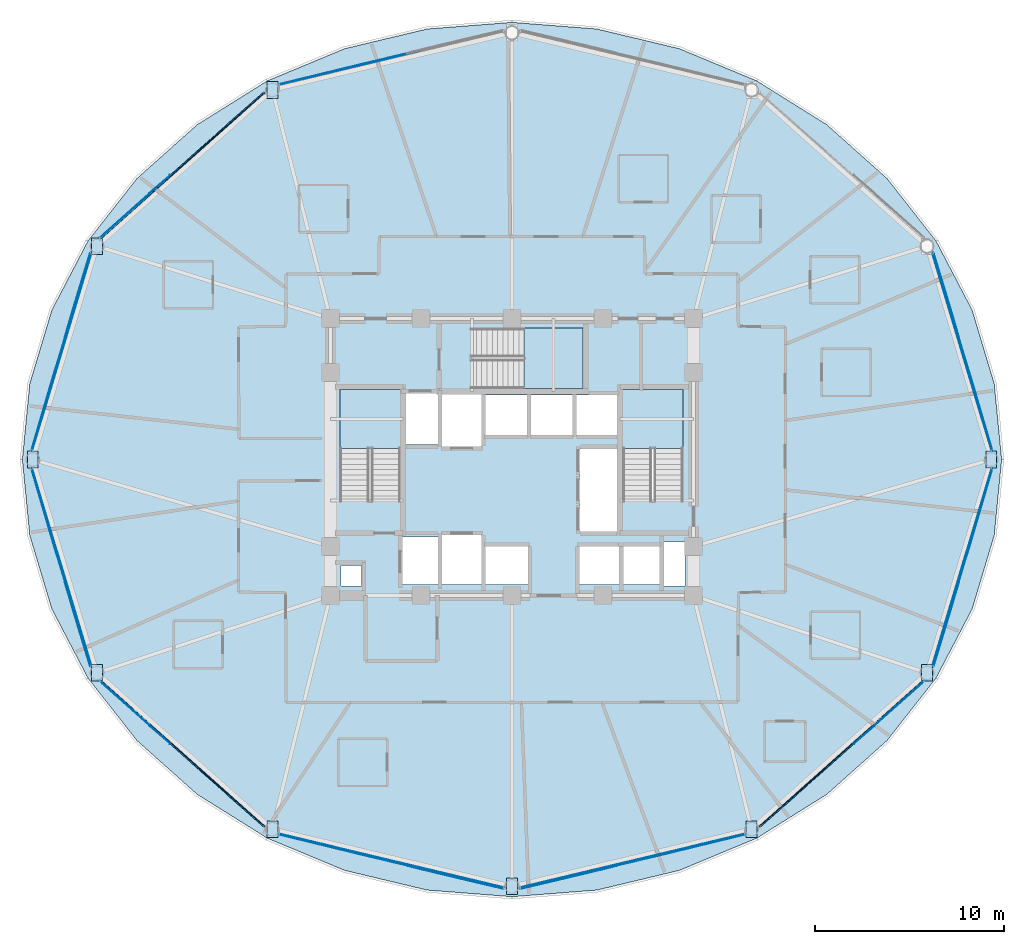
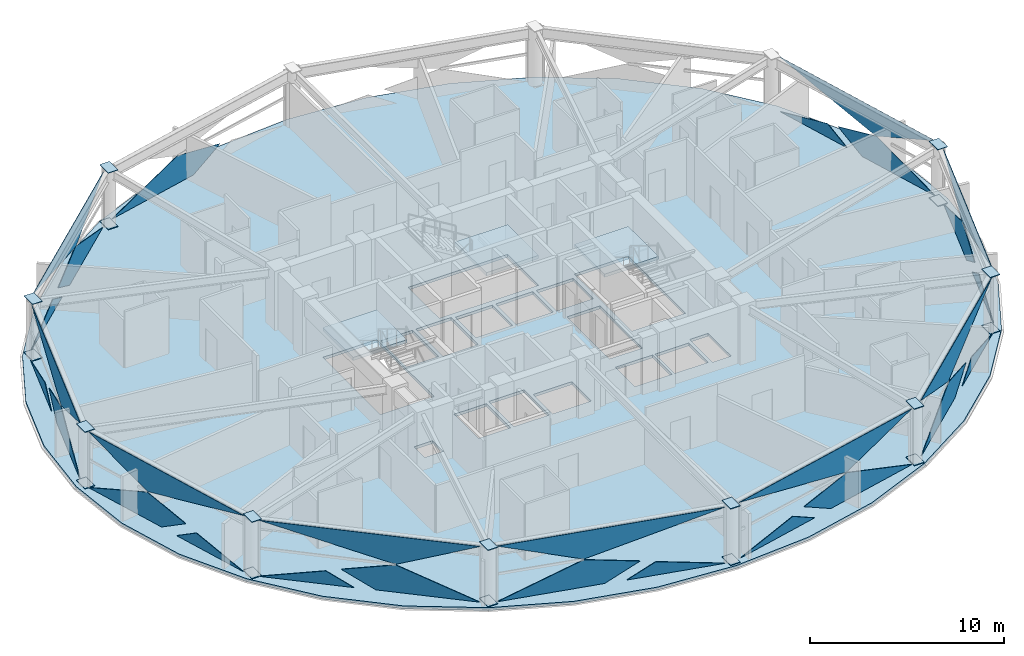
# One storey, part 22 of 31: 46 plates, 4 slabs, 13 elements without a shape of their own.
"""IFC4 building model written with IfcOpenShell, lengths in metres."""

import ifcopenshell
import ifcopenshell.guid

model = None  # the IFC model being written
_history = None  # IfcOwnerHistory: only IFC2X3 demands one
_inside = {}  # id of a spatial element -> (the spatial element, [elements in it])
_under = {}  # id of a project, library or spatial element -> (it, [spatial elements below it])
_declared = {}  # id of a project -> (the project, [libraries it declares])
_typed = {}  # id of a type object -> (the type object, [elements of that type])
_made_of = {}  # id of a material, layer set ... -> (it, [elements and type objects made of it])


def new_model(schema):
    """Start an empty IFC model of exactly this schema.

    Asked for "IFC4X3", IfcOpenShell would pick the latest addendum, in which some entities
    have other attributes; the version numbers below select the first issue.
    IFC2X3 requires an IfcOwnerHistory on every rooted entity: one is made here for all.
    """
    global model, _history
    if schema == "IFC4X3":
        model = ifcopenshell.file(schema_version=(4, 3, 0, 0))
    else:
        model = ifcopenshell.file(schema=schema)
    _inside.clear()
    _under.clear()
    _declared.clear()
    _typed.clear()
    _made_of.clear()
    _history = None
    if model.schema == "IFC2X3":
        org = make("IfcOrganization", Name="unknown")
        user = make(
            "IfcPersonAndOrganization",
            ThePerson=make("IfcPerson", FamilyName="unknown"),
            TheOrganization=org,
        )
        app = make(
            "IfcApplication",
            ApplicationDeveloper=org,
            Version="unknown",
            ApplicationFullName="unknown",
            ApplicationIdentifier="unknown",
        )
        _history = make(
            "IfcOwnerHistory",
            OwningUser=user,
            OwningApplication=app,
            ChangeAction="ADDED",
            CreationDate=0,
        )
    return model


def make(cls, **values):
    """One entity of the class cls with the attributes given. An attribute that is None is left unset."""
    return model.create_entity(
        cls, **{name: value for name, value in values.items() if value is not None}
    )


def rooted(cls, **values):
    """An entity with a GlobalId (a new one), such as an element, a storey or a relation."""
    return make(cls, GlobalId=ifcopenshell.guid.new(), OwnerHistory=_history, **values)


def si_unit(unit_type, name, prefix=None):
    """IfcSIUnit, for example si_unit("LENGTHUNIT", "METRE", prefix="MILLI")."""
    return make("IfcSIUnit", UnitType=unit_type, Prefix=prefix, Name=name)


def assignment(units):
    """IfcUnitAssignment: the units of a project."""
    return None if units is None else make("IfcUnitAssignment", Units=units)


def point(xyz):
    """IfcCartesianPoint."""
    return None if xyz is None else make("IfcCartesianPoint", Coordinates=xyz)


def direction(xyz):
    """IfcDirection."""
    return None if xyz is None else make("IfcDirection", DirectionRatios=xyz)


def frame(location, z_axis=None, x_axis=None):
    """IfcAxis2Placement3D, a coordinate frame: its origin and axes. An axis left out is left unset."""
    return make(
        "IfcAxis2Placement3D",
        Location=point(location),
        Axis=direction(z_axis),
        RefDirection=direction(x_axis),
    )


def origin():
    """The frame at (0, 0, 0) with its axes left unset."""
    return frame((0.0, 0.0, 0.0))


def place(relative_to, where):
    """IfcLocalPlacement: puts the frame where relative to a parent placement (None: the world)."""
    return make(
        "IfcLocalPlacement", PlacementRelTo=relative_to, RelativePlacement=where
    )


def context(
    kind, dimensions, precision=None, world=None, true_north=None, identifier=None
):
    """IfcGeometricRepresentationContext, for example the 3D "Model" context."""
    return make(
        "IfcGeometricRepresentationContext",
        ContextIdentifier=identifier,
        ContextType=kind,
        CoordinateSpaceDimension=dimensions,
        Precision=precision,
        WorldCoordinateSystem=world,
        TrueNorth=true_north,
    )


def subcontext(parent, identifier, kind, view, scale=None):
    """IfcGeometricRepresentationSubContext, for example "Body" below "Model"."""
    return make(
        "IfcGeometricRepresentationSubContext",
        ContextIdentifier=identifier,
        ContextType=kind,
        ParentContext=parent,
        TargetScale=scale,
        TargetView=view,
    )


def project(units=None, contexts=None):
    """IfcProject with its units and contexts."""
    return rooted(
        "IfcProject",
        Name="project",
        RepresentationContexts=contexts,
        UnitsInContext=assignment(units),
    )


def spatial(cls, under=None, at=None, **own):
    """A site, building, storey or space (cls), placed at a placement, below another one or the project."""
    s = rooted(cls, ObjectPlacement=at, **own)
    if under is not None:
        _under.setdefault(under.id(), (under, []))[1].append(s)
    return s


def polyline(points):
    """IfcPolyline through the points."""
    return make("IfcPolyline", Points=[point(p) for p in points])


def outline(outer, holes=None, kind="AREA"):
    """IfcArbitraryClosedProfileDef: a profile drawn as a closed curve; with holes, ...WithVoids."""
    if holes is None:
        return make("IfcArbitraryClosedProfileDef", ProfileType=kind, OuterCurve=outer)
    return make(
        "IfcArbitraryProfileDefWithVoids",
        ProfileType=kind,
        OuterCurve=outer,
        InnerCurves=holes,
    )


def extrude(swept, where, along, depth):
    """IfcExtrudedAreaSolid: the profile swept, set in the frame where, extruded along a direction by depth."""
    return make(
        "IfcExtrudedAreaSolid",
        SweptArea=swept,
        Position=where,
        ExtrudedDirection=direction(along),
        Depth=depth,
    )


def shape(context_of_items, identifier, shape_type, items):
    """IfcShapeRepresentation: the items that make up one representation, for example the "Body"."""
    return make(
        "IfcShapeRepresentation",
        ContextOfItems=context_of_items,
        RepresentationIdentifier=identifier,
        RepresentationType=shape_type,
        Items=items,
    )


def material(Name=None, Category=None):
    """IfcMaterial."""
    return make("IfcMaterial", Name=Name, Category=Category)


def layer(
    of_material, thickness, ventilated=None, Name=None, Category=None, Priority=None
):
    """IfcMaterialLayer: one layer of a wall or slab, of a material (None: an air gap)."""
    return make(
        "IfcMaterialLayer",
        Material=of_material,
        LayerThickness=thickness,
        IsVentilated=ventilated,
        Name=Name,
        Category=Category,
        Priority=Priority,
    )


def layer_set(layers, Name=None):
    """IfcMaterialLayerSet."""
    return make("IfcMaterialLayerSet", MaterialLayers=layers, LayerSetName=Name)


def made_of(thing, what):
    """Note that an element or type object is made of a material, layer set ...; save() writes the relation."""
    if what is not None:
        _made_of.setdefault(what.id(), (what, []))[1].append(thing)
    return thing


def type_object(cls, material=None, **own):
    """A type object (cls), such as IfcWallType, which elements share."""
    return made_of(rooted(cls, **own), material)


def element(
    cls,
    number,
    at=None,
    inside=None,
    cuts=None,
    type_object=None,
    material=None,
    context=None,
    identifier="Body",
    shape_type=None,
    held_by="IfcProductDefinitionShape",
    body=None,
    shapes=None,
    **own,
):
    """One element of the class cls, such as IfcWall. Its Tag is "e" and its number.

    at: its placement. inside: the storey or other place that contains it. cuts: it is an
    opening in that element (IfcRelVoidsElement). A single representation is given by context,
    identifier, shape_type and body (its items); several are given by shapes. held_by: the class
    of the entity that holds the representations. save() writes the other relations.
    """
    e = rooted(cls, Tag="e%d" % number, ObjectPlacement=at, **own)
    if body is not None:
        shapes = [shape(context, identifier, shape_type, body)]
    if shapes is not None:
        e.Representation = make(held_by, Representations=shapes)
    if inside is not None:
        _inside.setdefault(inside.id(), (inside, []))[1].append(e)
    if cuts is not None:
        rooted(
            "IfcRelVoidsElement", RelatingBuildingElement=cuts, RelatedOpeningElement=e
        )
    if type_object is not None:
        _typed.setdefault(type_object.id(), (type_object, []))[1].append(e)
    return made_of(e, material)


def aggregate(whole, parts):
    """IfcRelAggregates: a whole, such as a stair, and the parts it consists of."""
    return rooted("IfcRelAggregates", RelatingObject=whole, RelatedObjects=parts)


def save(model, path):
    """Write the relations noted so far, then the file.

    IfcRelAggregates (storeys below a building ...), IfcRelContainedInSpatialStructure (elements
    in a storey), IfcRelDefinesByType, IfcRelAssociatesMaterial and IfcRelDeclares: one each for
    every whole, place, type object, material and project.
    """
    for whole, parts in _under.values():
        aggregate(whole, parts)
    for where, things in _inside.values():
        rooted(
            "IfcRelContainedInSpatialStructure",
            RelatedElements=things,
            RelatingStructure=where,
        )
    for kind, things in _typed.values():
        rooted("IfcRelDefinesByType", RelatedObjects=things, RelatingType=kind)
    for what, things in _made_of.values():
        rooted("IfcRelAssociatesMaterial", RelatedObjects=things, RelatingMaterial=what)
    for by, libraries in _declared.values():
        rooted("IfcRelDeclares", RelatingContext=by, RelatedDefinitions=libraries)
    model.write(path)


model = new_model("IFC4")

# Units and contexts
model_context = context("Model", 3, precision=1e-05, world=origin(), true_north=direction((0.0, 1.0)))
body_context = subcontext(model_context, "Body", "Model", "MODEL_VIEW")
ifc_project = project(units=[si_unit("LENGTHUNIT", "METRE"), si_unit("AREAUNIT", "SQUARE_METRE"), si_unit("VOLUMEUNIT", "CUBIC_METRE"), si_unit("PLANEANGLEUNIT", "RADIAN"), si_unit("MASSUNIT", "GRAM", prefix="KILO")], contexts=[model_context])

# Site, building, storey
site_placement = place(None, origin())
site = spatial("IfcSite", under=ifc_project, at=site_placement, CompositionType="ELEMENT")
building_placement = place(site_placement, origin())
building = spatial("IfcBuilding", under=site, at=building_placement, Name="Vantalir Tower", CompositionType="ELEMENT")
storey_placement = place(building_placement, frame((0.0, 0.0, 123.449951171875)))
storey = spatial("IfcBuildingStorey", under=building, at=storey_placement, Name="L30", CompositionType="ELEMENT", Elevation=123.449951171875)

# Curtain wall, plates
ifc_material_1 = material(Name="Champagne-silver PVDF aluminium and double-silver Low-E glass", Category="aluminium")
ifc_layer_1 = layer(ifc_material_1, 0.199951171875)
ifc_layer_set_1 = layer_set([ifc_layer_1], Name="Champagne-silver PVDF aluminium and double-silver Low-E glass")
curtain_wall_type = type_object("IfcCurtainWallType", Name="CW-DIAMOND-Z2", PredefinedType="USERDEFINED", material=ifc_layer_set_1)
curtain_wall_1_placement = place(storey_placement, origin())
curtain_wall_1 = element("IfcCurtainWall", 1, at=curtain_wall_1_placement, inside=storey, type_object=curtain_wall_type, Name="L30 Quilted Pyramid-Diamond Curtain Wall S01", ObjectType="UNITISED CURTAIN WALL", PredefinedType="USERDEFINED")
ifc_material_2 = material(Name="Double-silver Low-E laminated glass IGU", Category="glass")
ifc_layer_2 = layer(ifc_material_2, 0.028076171875)
ifc_layer_set_2 = layer_set([ifc_layer_2], Name="Double-silver Low-E laminated glass IGU")
plate_type_1 = type_object("IfcPlateType", Name="CWP-IGU-28", PredefinedType="CURTAIN_PANEL", material=ifc_layer_set_2)
plate_1_placement = place(storey_placement, frame((56.899169921875, 25.435546875, 0.046875), z_axis=(-0.95757945846, -0.287837991243, 0.013815626401), x_axis=(-0.287866094719, 0.957670668469, -4.7598742e-05)))
plate_1 = element("IfcPlate", 2, at=plate_1_placement, type_object=plate_type_1, Name="CW-L30-S01 Pyramid Diamond Facet 1L", PredefinedType="CURTAIN_PANEL", context=body_context, shape_type="SweptSolid", body=[
    extrude(outline(polyline([(0.0, 0.0), (5.160360084255495, -6.2341624917916505e-19), (6.8833848997735325, -1.0380243672680036), (4.171875114896909, -1.7266802462316904), (0.0, 0.0)])), origin(), (0.0, 0.0, -1.0), 0.028076171875),
])
plate_2_placement = place(storey_placement, frame((55.12646484375, 31.44384765625, 0.046142578125), z_axis=(-0.957596244666, -0.287787129639, 0.013711317071), x_axis=(-0.287814185475, 0.95768627151, 0.0)))
plate_2 = element("IfcPlate", 3, at=plate_2_placement, type_object=plate_type_1, Name="CW-L30-S01 Pyramid Diamond Facet 1L Infill Light", PredefinedType="CURTAIN_PANEL", context=body_context, shape_type="SweptSolid", body=[
    extrude(outline(polyline([(0.0, 0.0), (4.70698247860536, -3.469446951953614e-18), (1.3955773815450936, -0.8408993608461124), (0.0, 0.0)])), origin(), (0.0, 0.0, -1.0), 0.028076171875),
])
plate_3_placement = place(storey_placement, frame((53.740966796875, 35.9423828125, 3.523681640625), z_axis=(0.957581456483, 0.287834835449, 0.013742696341), x_axis=(0.287862312613, -0.957671806248, -2.2252807e-05)))
plate_3 = element("IfcPlate", 4, at=plate_3_placement, type_object=plate_type_1, Name="CW-L30-S01 Pyramid Diamond Facet 2U", PredefinedType="CURTAIN_PANEL", context=body_context, shape_type="SweptSolid", body=[
    extrude(outline(polyline([(0.0, 0.0), (10.971228210911756, -1.1953328951652686e-17), (6.799309248841789, 1.7268184099679815), (0.0, 0.0)])), origin(), (0.0, 0.0, -1.0), 0.028076171875),
])
aggregate(curtain_wall_1, [plate_1, plate_2, plate_3])

# Curtain wall, plate
curtain_wall_2_placement = place(storey_placement, origin())
curtain_wall_2 = element("IfcCurtainWall", 5, at=curtain_wall_2_placement, inside=storey, type_object=curtain_wall_type, Name="L30 Quilted Pyramid-Diamond Curtain Wall S04", ObjectType="UNITISED CURTAIN WALL", PredefinedType="USERDEFINED")
plate_4_placement = place(storey_placement, frame((24.78271484375, 46.151611328125, 0.04638671875), z_axis=(0.23230148388, -0.972547445509, 0.013692582709), x_axis=(-0.972638762051, -0.23232269963, 4.2332746e-05)))
plate_4 = element("IfcPlate", 6, at=plate_4_placement, type_object=plate_type_1, Name="CW-L30-S04 Pyramid Diamond Facet 1L", PredefinedType="CURTAIN_PANEL", context=body_context, shape_type="SweptSolid", body=[
    extrude(outline(polyline([(0.0, 0.0), (5.76290797486281, -2.303929616531697e-18), (1.1184396726775996, -1.7274095176504485), (-1.902478368501921, -1.0380194660828543), (0.0, 0.0)])), origin(), (0.0, 0.0, -1.0), 0.028076171875),
])
aggregate(curtain_wall_2, [plate_4])

# Curtain wall, plates
curtain_wall_3_placement = place(storey_placement, origin())
curtain_wall_3 = element("IfcCurtainWall", 7, at=curtain_wall_3_placement, inside=storey, type_object=curtain_wall_type, Name="L30 Quilted Pyramid-Diamond Curtain Wall S05", ObjectType="UNITISED CURTAIN WALL", PredefinedType="USERDEFINED")
plate_5_placement = place(storey_placement, frame((18.395263671875, 44.404296875, 0.046630859375), z_axis=(0.665300805585, -0.746448897916, 0.013743394359), x_axis=(-0.74651940335, -0.665363645251, 5.2579e-08)))
plate_5 = element("IfcPlate", 8, at=plate_5_placement, type_object=plate_type_1, Name="CW-L30-S05 Pyramid Diamond Facet 1L", PredefinedType="CURTAIN_PANEL", context=body_context, shape_type="SweptSolid", body=[
    extrude(outline(polyline([(0.0, 0.0), (5.46872002725647, 0.0), (7.284491240075046, -1.03842776932585), (4.418048549640998, -1.7269697993653241), (0.0, 0.0)])), origin(), (0.0, 0.0, -1.0), 0.028076171875),
])
plate_6_placement = place(storey_placement, frame((13.434814453125, 40.02587890625, 0.046142578125), z_axis=(0.665283604735, -0.746464471689, 0.013730177568), x_axis=(-0.746534394823, -0.665346823059, -4.8908176e-05)))
plate_6 = element("IfcPlate", 9, at=plate_6_placement, type_object=plate_type_1, Name="CW-L30-S05 Pyramid Diamond Facet 1L Infill Light", PredefinedType="CURTAIN_PANEL", context=body_context, shape_type="SweptSolid", body=[
    extrude(outline(polyline([(0.0, 0.0), (4.991816218841898, 4.2825985813177425e-18), (1.4763133214725312, -0.8443900810729449), (0.0, 0.0)])), origin(), (0.0, 0.0, -1.0), 0.028076171875),
])
plate_7_placement = place(storey_placement, frame((9.7294921875, 36.6806640625, 3.523681640625), z_axis=(-0.66529752374, 0.746451806469, 0.013744290602), x_axis=(0.746522128378, 0.665360587501, -2.1031755e-05)))
plate_7 = element("IfcPlate", 10, at=plate_7_placement, type_object=plate_type_1, Name="CW-L30-S05 Pyramid Diamond Facet 2U", PredefinedType="CURTAIN_PANEL", context=body_context, shape_type="SweptSolid", body=[
    extrude(outline(polyline([(0.0, 0.0), (11.60819104345454, -4.472333961502706e-18), (7.190178806097466, 1.7270626931022792), (0.0, 0.0)])), origin(), (0.0, 0.0, -1.0), 0.028076171875),
])
aggregate(curtain_wall_3, [plate_5, plate_6, plate_7])

curtain_wall_4_placement = place(storey_placement, origin())
curtain_wall_4 = element("IfcCurtainWall", 11, at=curtain_wall_4_placement, inside=storey, type_object=curtain_wall_type, Name="L30 Quilted Pyramid-Diamond Curtain Wall S06", ObjectType="UNITISED CURTAIN WALL", PredefinedType="USERDEFINED")
plate_8_placement = place(storey_placement, frame((7.58642578125, 30.37744140625, 0.046630859375), z_axis=(0.95757945846, -0.287837991243, 0.013815626401), x_axis=(-0.287866094719, -0.957670668469, 4.7598742e-05)))
plate_8 = element("IfcPlate", 12, at=plate_8_placement, type_object=plate_type_1, Name="CW-L30-S06 Pyramid Diamond Facet 1L", PredefinedType="CURTAIN_PANEL", context=body_context, shape_type="SweptSolid", body=[
    extrude(outline(polyline([(0.0, 0.0), (5.160360084255495, 6.2341624917916505e-19), (0.988484969358585, -1.7266802462316904), (-1.723024815518038, -1.0380243672680036), (0.0, 0.0)])), origin(), (0.0, 0.0, -1.0), 0.028076171875),
])
plate_9_placement = place(storey_placement, frame((9.228271484375, 35.95166015625, 0.046142578125), z_axis=(0.957596244666, -0.287787129639, 0.013711317071), x_axis=(-0.287814185475, -0.95768627151, 0.0)))
plate_9 = element("IfcPlate", 13, at=plate_9_placement, type_object=plate_type_1, Name="CW-L30-S06 Pyramid Diamond Facet 1L Infill Light", PredefinedType="CURTAIN_PANEL", context=body_context, shape_type="SweptSolid", body=[
    extrude(outline(polyline([(0.0, 0.0), (4.70698247860536, 3.469446951953614e-18), (3.311405097060266, -0.8408993608461124), (0.0, 0.0)])), origin(), (0.0, 0.0, -1.0), 0.028076171875),
])
plate_10_placement = place(storey_placement, frame((6.100830078125, 25.435546875, 3.5234375), z_axis=(-0.957581456483, 0.287834835449, 0.013742696341), x_axis=(0.287862312613, 0.957671806248, 2.2252807e-05)))
plate_10 = element("IfcPlate", 14, at=plate_10_placement, type_object=plate_type_1, Name="CW-L30-S06 Pyramid Diamond Facet 2U", PredefinedType="CURTAIN_PANEL", context=body_context, shape_type="SweptSolid", body=[
    extrude(outline(polyline([(0.0, 0.0), (10.971228210911756, 1.1953328951652686e-17), (4.171918962069965, 1.7268184099679813), (0.0, 0.0)])), origin(), (0.0, 0.0, -1.0), 0.028076171875),
])
aggregate(curtain_wall_4, [plate_8, plate_9, plate_10])

curtain_wall_5_placement = place(storey_placement, origin())
curtain_wall_5 = element("IfcCurtainWall", 15, at=curtain_wall_5_placement, inside=storey, type_object=curtain_wall_type, Name="L30 Quilted Pyramid-Diamond Curtain Wall S07", ObjectType="UNITISED CURTAIN WALL", PredefinedType="USERDEFINED")
plate_11_placement = place(storey_placement, frame((6.100830078125, 24.564453125, 0.046875), z_axis=(0.95757945846, 0.287837991243, 0.013815626401), x_axis=(0.287866094719, -0.957670668469, -4.7598742e-05)))
plate_11 = element("IfcPlate", 16, at=plate_11_placement, type_object=plate_type_1, Name="CW-L30-S07 Pyramid Diamond Facet 1L", PredefinedType="CURTAIN_PANEL", context=body_context, shape_type="SweptSolid", body=[
    extrude(outline(polyline([(0.0, 0.0), (5.160360084255495, -6.2341624917916505e-19), (6.8833848997735325, -1.0380243672680036), (4.171875114896909, -1.7266802462316904), (0.0, 0.0)])), origin(), (0.0, 0.0, -1.0), 0.028076171875),
])
plate_12_placement = place(storey_placement, frame((7.87353515625, 18.55615234375, 0.046142578125), z_axis=(0.957596244666, 0.287787129639, 0.013711317071), x_axis=(0.287814185475, -0.95768627151, 0.0)))
plate_12 = element("IfcPlate", 17, at=plate_12_placement, type_object=plate_type_1, Name="CW-L30-S07 Pyramid Diamond Facet 1L Infill Light", PredefinedType="CURTAIN_PANEL", context=body_context, shape_type="SweptSolid", body=[
    extrude(outline(polyline([(0.0, 0.0), (4.70698247860536, -3.469446951953614e-18), (1.3955773815450936, -0.8408993608461124), (0.0, 0.0)])), origin(), (0.0, 0.0, -1.0), 0.028076171875),
])
plate_13_placement = place(storey_placement, frame((9.259033203125, 14.0576171875, 3.523681640625), z_axis=(-0.957581456483, -0.287834835449, 0.013742696341), x_axis=(-0.287862312613, 0.957671806248, -2.2252807e-05)))
plate_13 = element("IfcPlate", 18, at=plate_13_placement, type_object=plate_type_1, Name="CW-L30-S07 Pyramid Diamond Facet 2U", PredefinedType="CURTAIN_PANEL", context=body_context, shape_type="SweptSolid", body=[
    extrude(outline(polyline([(0.0, 0.0), (10.971228210911756, -1.1953328951652686e-17), (6.799309248841789, 1.7268184099679815), (0.0, 0.0)])), origin(), (0.0, 0.0, -1.0), 0.028076171875),
])
aggregate(curtain_wall_5, [plate_11, plate_12, plate_13])

curtain_wall_6_placement = place(storey_placement, origin())
curtain_wall_6 = element("IfcCurtainWall", 19, at=curtain_wall_6_placement, inside=storey, type_object=curtain_wall_type, Name="L30 Quilted Pyramid-Diamond Curtain Wall S08", ObjectType="UNITISED CURTAIN WALL", PredefinedType="USERDEFINED")
plate_14_placement = place(storey_placement, frame((14.312744140625, 9.234375, 0.046630859375), z_axis=(0.665300805585, 0.746448897916, 0.013743394359), x_axis=(0.74651940335, -0.665363645251, -5.2579e-08)))
plate_14 = element("IfcPlate", 20, at=plate_14_placement, type_object=plate_type_1, Name="CW-L30-S08 Pyramid Diamond Facet 1L", PredefinedType="CURTAIN_PANEL", context=body_context, shape_type="SweptSolid", body=[
    extrude(outline(polyline([(0.0, 0.0), (5.46872002725647, 0.0), (1.0506714776154722, -1.7269697993653241), (-1.8157712128185752, -1.03842776932585), (0.0, 0.0)])), origin(), (0.0, 0.0, -1.0), 0.028076171875),
])
plate_15_placement = place(storey_placement, frame((9.708251953125, 13.29541015625, 0.0458984375), z_axis=(0.665283604735, 0.746464471689, 0.013730177568), x_axis=(0.746534394823, -0.665346823059, 4.8908176e-05)))
plate_15 = element("IfcPlate", 21, at=plate_15_placement, type_object=plate_type_1, Name="CW-L30-S08 Pyramid Diamond Facet 1L Infill Light", PredefinedType="CURTAIN_PANEL", context=body_context, shape_type="SweptSolid", body=[
    extrude(outline(polyline([(0.0, 0.0), (4.991816218841898, -4.2825985813177425e-18), (3.5155028973693674, -0.8443900810729449), (0.0, 0.0)])), origin(), (0.0, 0.0, -1.0), 0.028076171875),
])
plate_16_placement = place(storey_placement, frame((18.395263671875, 5.595703125, 3.5234375), z_axis=(-0.66529752374, -0.746451806469, 0.013744290602), x_axis=(-0.746522128378, 0.665360587501, 2.1031755e-05)))
plate_16 = element("IfcPlate", 22, at=plate_16_placement, type_object=plate_type_1, Name="CW-L30-S08 Pyramid Diamond Facet 2U", PredefinedType="CURTAIN_PANEL", context=body_context, shape_type="SweptSolid", body=[
    extrude(outline(polyline([(0.0, 0.0), (11.60819104345454, 4.472333961502706e-18), (4.418012237357074, 1.727062693102279), (0.0, 0.0)])), origin(), (0.0, 0.0, -1.0), 0.028076171875),
])
aggregate(curtain_wall_6, [plate_14, plate_15, plate_16])

curtain_wall_7_placement = place(storey_placement, origin())
curtain_wall_7 = element("IfcCurtainWall", 23, at=curtain_wall_7_placement, inside=storey, type_object=curtain_wall_type, Name="L30 Quilted Pyramid-Diamond Curtain Wall S09", ObjectType="UNITISED CURTAIN WALL", PredefinedType="USERDEFINED")
plate_17_placement = place(storey_placement, frame((19.177490234375, 5.187255859375, 0.046630859375), z_axis=(0.23230148388, 0.972547445509, 0.013692582709), x_axis=(0.972638762051, -0.23232269963, -4.2332746e-05)))
plate_17 = element("IfcPlate", 24, at=plate_17_placement, type_object=plate_type_1, Name="CW-L30-S09 Pyramid Diamond Facet 1L", PredefinedType="CURTAIN_PANEL", context=body_context, shape_type="SweptSolid", body=[
    extrude(outline(polyline([(0.0, 0.0), (5.76290797486281, 2.303929616531697e-18), (7.665386343364732, -1.0380194660828543), (4.644468302185211, -1.7274095176504485), (0.0, 0.0)])), origin(), (0.0, 0.0, -1.0), 0.028076171875),
])
plate_18_placement = place(storey_placement, frame((25.93115234375, 3.541259765625, 0.0458984375), z_axis=(0.232294839852, 0.972549102871, 0.013687581345), x_axis=(0.972640219154, -0.232316603116, 0.0)))
plate_18 = element("IfcPlate", 25, at=plate_18_placement, type_object=plate_type_1, Name="CW-L30-S09 Pyramid Diamond Facet 1L Infill Light", PredefinedType="CURTAIN_PANEL", context=body_context, shape_type="SweptSolid", body=[
    extrude(outline(polyline([(0.0, 0.0), (5.262887945169534, 0.0), (1.5519906296792882, -0.8467590113163868), (0.0, 0.0)])), origin(), (0.0, 0.0, -1.0), 0.028076171875),
])
plate_19_placement = place(storey_placement, frame((31.0576171875, 2.349609375, 3.523681640625), z_axis=(-0.232299697518, -0.972547696452, 0.013705059649), x_axis=(-0.972639108939, 0.232321250348, -1.9988062e-05)))
plate_19 = element("IfcPlate", 26, at=plate_19_placement, type_object=plate_type_1, Name="CW-L30-S09 Pyramid Diamond Facet 2U", PredefinedType="CURTAIN_PANEL", context=body_context, shape_type="SweptSolid", body=[
    extrude(outline(polyline([(0.0, 0.0), (12.214321677942559, 1.3552527156068805e-18), (7.569814817392175, 1.727305842677403), (0.0, 0.0)])), origin(), (0.0, 0.0, -1.0), 0.028076171875),
])
aggregate(curtain_wall_7, [plate_17, plate_18, plate_19])

curtain_wall_8_placement = place(storey_placement, origin())
curtain_wall_8 = element("IfcCurtainWall", 27, at=curtain_wall_8_placement, inside=storey, type_object=curtain_wall_type, Name="L30 Quilted Pyramid-Diamond Curtain Wall S10", ObjectType="UNITISED CURTAIN WALL", PredefinedType="USERDEFINED")
plate_20_placement = place(storey_placement, frame((38.21728515625, 3.848388671875, 0.04638671875), z_axis=(-0.23230148388, 0.972547445509, 0.013692582709), x_axis=(0.972638762051, 0.23232269963, 4.2332746e-05)))
plate_20 = element("IfcPlate", 28, at=plate_20_placement, type_object=plate_type_1, Name="CW-L30-S10 Pyramid Diamond Facet 1L", PredefinedType="CURTAIN_PANEL", context=body_context, shape_type="SweptSolid", body=[
    extrude(outline(polyline([(0.0, 0.0), (5.76290797486281, -2.303929616531697e-18), (1.1184396726775996, -1.7274095176504485), (-1.902478368501921, -1.0380194660828543), (0.0, 0.0)])), origin(), (0.0, 0.0, -1.0), 0.028076171875),
])
plate_21_placement = place(storey_placement, frame((31.949951171875, 2.318603515625, 0.0458984375), z_axis=(-0.232294839852, 0.972549102871, 0.013687581345), x_axis=(0.972640219154, 0.232316603116, 0.0)))
plate_21 = element("IfcPlate", 29, at=plate_21_placement, type_object=plate_type_1, Name="CW-L30-S10 Pyramid Diamond Facet 1L Infill Light", PredefinedType="CURTAIN_PANEL", context=body_context, shape_type="SweptSolid", body=[
    extrude(outline(polyline([(0.0, 0.0), (5.262887945169534, 0.0), (3.7108973154902456, -0.8467590113163868), (0.0, 0.0)])), origin(), (0.0, 0.0, -1.0), 0.028076171875),
])
plate_22_placement = place(storey_placement, frame((43.822509765625, 5.187255859375, 3.5234375), z_axis=(0.232299697518, -0.972547696452, 0.013705059649), x_axis=(-0.972639108939, -0.232321250348, 1.9988062e-05)))
plate_22 = element("IfcPlate", 30, at=plate_22_placement, type_object=plate_type_1, Name="CW-L30-S10 Pyramid Diamond Facet 2U", PredefinedType="CURTAIN_PANEL", context=body_context, shape_type="SweptSolid", body=[
    extrude(outline(polyline([(0.0, 0.0), (12.214321677942559, -1.3552527156068805e-18), (4.644506860550384, 1.727305842677403), (0.0, 0.0)])), origin(), (0.0, 0.0, -1.0), 0.028076171875),
])
aggregate(curtain_wall_8, [plate_20, plate_21, plate_22])

curtain_wall_9_placement = place(storey_placement, origin())
curtain_wall_9 = element("IfcCurtainWall", 31, at=curtain_wall_9_placement, inside=storey, type_object=curtain_wall_type, Name="L30 Quilted Pyramid-Diamond Curtain Wall S11", ObjectType="UNITISED CURTAIN WALL", PredefinedType="USERDEFINED")
plate_23_placement = place(storey_placement, frame((44.604736328125, 5.595703125, 0.046630859375), z_axis=(-0.665300805585, 0.746448897916, 0.013743394359), x_axis=(0.74651940335, 0.665363645251, 5.2579e-08)))
plate_23 = element("IfcPlate", 32, at=plate_23_placement, type_object=plate_type_1, Name="CW-L30-S11 Pyramid Diamond Facet 1L", PredefinedType="CURTAIN_PANEL", context=body_context, shape_type="SweptSolid", body=[
    extrude(outline(polyline([(0.0, 0.0), (5.46872002725647, 0.0), (7.284491240075046, -1.03842776932585), (4.418048549640998, -1.7269697993653241), (0.0, 0.0)])), origin(), (0.0, 0.0, -1.0), 0.028076171875),
])
plate_24_placement = place(storey_placement, frame((49.565185546875, 9.97412109375, 0.046142578125), z_axis=(-0.665283604735, 0.746464471689, 0.013730177568), x_axis=(0.746534394823, 0.665346823059, -4.8908176e-05)))
plate_24 = element("IfcPlate", 33, at=plate_24_placement, type_object=plate_type_1, Name="CW-L30-S11 Pyramid Diamond Facet 1L Infill Light", PredefinedType="CURTAIN_PANEL", context=body_context, shape_type="SweptSolid", body=[
    extrude(outline(polyline([(0.0, 0.0), (4.991816218841898, 4.2825985813177425e-18), (1.4763133214725312, -0.8443900810729449), (0.0, 0.0)])), origin(), (0.0, 0.0, -1.0), 0.028076171875),
])
plate_25_placement = place(storey_placement, frame((53.2705078125, 13.3193359375, 3.523681640625), z_axis=(0.66529752374, -0.746451806469, 0.013744290602), x_axis=(-0.746522128378, -0.665360587501, -2.1031755e-05)))
plate_25 = element("IfcPlate", 34, at=plate_25_placement, type_object=plate_type_1, Name="CW-L30-S11 Pyramid Diamond Facet 2U", PredefinedType="CURTAIN_PANEL", context=body_context, shape_type="SweptSolid", body=[
    extrude(outline(polyline([(0.0, 0.0), (11.60819104345454, -4.472333961502706e-18), (7.190178806097466, 1.7270626931022792), (0.0, 0.0)])), origin(), (0.0, 0.0, -1.0), 0.028076171875),
])
aggregate(curtain_wall_9, [plate_23, plate_24, plate_25])

curtain_wall_10_placement = place(storey_placement, origin())
curtain_wall_10 = element("IfcCurtainWall", 35, at=curtain_wall_10_placement, inside=storey, type_object=curtain_wall_type, Name="L30 Quilted Pyramid-Diamond Curtain Wall S12", ObjectType="UNITISED CURTAIN WALL", PredefinedType="USERDEFINED")
plate_26_placement = place(storey_placement, frame((55.41357421875, 19.62255859375, 0.046630859375), z_axis=(-0.95757945846, 0.287837991243, 0.013815626401), x_axis=(0.287866094719, 0.957670668469, 4.7598742e-05)))
plate_26 = element("IfcPlate", 36, at=plate_26_placement, type_object=plate_type_1, Name="CW-L30-S12 Pyramid Diamond Facet 1L", PredefinedType="CURTAIN_PANEL", context=body_context, shape_type="SweptSolid", body=[
    extrude(outline(polyline([(0.0, 0.0), (5.160360084255495, 6.2341624917916505e-19), (0.988484969358585, -1.7266802462316904), (-1.723024815518038, -1.0380243672680036), (0.0, 0.0)])), origin(), (0.0, 0.0, -1.0), 0.028076171875),
])
plate_27_placement = place(storey_placement, frame((53.771728515625, 14.04833984375, 0.046142578125), z_axis=(-0.957596244666, 0.287787129639, 0.013711317071), x_axis=(0.287814185475, 0.95768627151, 0.0)))
plate_27 = element("IfcPlate", 37, at=plate_27_placement, type_object=plate_type_1, Name="CW-L30-S12 Pyramid Diamond Facet 1L Infill Light", PredefinedType="CURTAIN_PANEL", context=body_context, shape_type="SweptSolid", body=[
    extrude(outline(polyline([(0.0, 0.0), (4.70698247860536, 3.469446951953614e-18), (3.311405097060266, -0.8408993608461124), (0.0, 0.0)])), origin(), (0.0, 0.0, -1.0), 0.028076171875),
])
plate_28_placement = place(storey_placement, frame((56.899169921875, 24.564453125, 3.5234375), z_axis=(0.957581456483, -0.287834835449, 0.013742696341), x_axis=(-0.287862312613, -0.957671806248, 2.2252807e-05)))
plate_28 = element("IfcPlate", 38, at=plate_28_placement, type_object=plate_type_1, Name="CW-L30-S12 Pyramid Diamond Facet 2U", PredefinedType="CURTAIN_PANEL", context=body_context, shape_type="SweptSolid", body=[
    extrude(outline(polyline([(0.0, 0.0), (10.971228210911756, 1.1953328951652686e-17), (4.171918962069965, 1.7268184099679813), (0.0, 0.0)])), origin(), (0.0, 0.0, -1.0), 0.028076171875),
])
aggregate(curtain_wall_10, [plate_26, plate_27, plate_28])

# Plates
ifc_material_3 = material(Name="Steel S460", Category="steel")
ifc_layer_3 = layer(ifc_material_3, 0.035888671875)
ifc_layer_set_3 = layer_set([ifc_layer_3], Name="Steel S460")
plate_type_2 = type_object("IfcPlateType", Name="PLT-KN-Z2", PredefinedType="USERDEFINED", material=ifc_layer_set_3)
for number, where, z_axis, x_axis, name in (
    (39, (56.550048828125, 25.43994140625, 3.59814453125), (0.0, 0.0, 1.0), (0.0, -1.0, 0.0), "L30 Ring Column Top Cap RC01"),
    (40, (56.550048828125, 25.43994140625, 0.052978515625), (0.0, 0.0, 1.0), (0.0, -1.0, 0.0), "L30 Ring Column Base Cap RC01"),
):
    element("IfcPlate", number, at=place(storey_placement, frame(where, z_axis=z_axis, x_axis=x_axis)), inside=storey, type_object=plate_type_2, Name=name, ObjectType="FLANGE_PLATE", PredefinedType="USERDEFINED", context=body_context, shape_type="SweptSolid", body=[
        extrude(outline(polyline([(0.0, 0.0), (0.8798828125, 0.0), (0.8798828125, 0.579833984375), (0.0, 0.579833984375), (0.0, 0.0)])), origin(), (0.0, 0.0, -1.0), 0.035888671875),
    ])
for number, where, z_axis, x_axis, name in (
    (41, (18.5400390625, 44.98291015625, 3.59814453125), (0.0, 0.0, 1.0), (0.0, -1.0, 0.0), "L30 Ring Column Top Cap RC05"),
    (42, (18.5400390625, 44.98291015625, 0.052978515625), (0.0, 0.0, 1.0), (0.0, -1.0, 0.0), "L30 Ring Column Base Cap RC05"),
    (43, (9.264892578125, 36.722900390625, 3.59814453125), (0.0, 0.0, 1.0), (0.0, -1.0, 0.0), "L30 Ring Column Top Cap RC06"),
    (44, (9.264892578125, 36.722900390625, 0.052978515625), (0.0, 0.0, 1.0), (0.0, -1.0, 0.0), "L30 Ring Column Base Cap RC06"),
):
    element("IfcPlate", number, at=place(storey_placement, frame(where, z_axis=z_axis, x_axis=x_axis)), inside=storey, type_object=plate_type_2, Name=name, ObjectType="FLANGE_PLATE", PredefinedType="USERDEFINED", context=body_context, shape_type="SweptSolid", body=[
        extrude(outline(polyline([(0.0, 0.0), (0.8798828125, 0.0), (0.8798828125, 0.580078125), (0.0, 0.580078125), (0.0, 0.0)])), origin(), (0.0, 0.0, -1.0), 0.035888671875),
    ])
for number, where, z_axis, x_axis, name in (
    (45, (5.8701171875, 25.43994140625, 3.59814453125), (0.0, 0.0, 1.0), (0.0, -1.0, 0.0), "L30 Ring Column Top Cap RC07"),
    (46, (5.8701171875, 25.43994140625, 0.052978515625), (0.0, 0.0, 1.0), (0.0, -1.0, 0.0), "L30 Ring Column Base Cap RC07"),
):
    element("IfcPlate", number, at=place(storey_placement, frame(where, z_axis=z_axis, x_axis=x_axis)), inside=storey, type_object=plate_type_2, Name=name, ObjectType="FLANGE_PLATE", PredefinedType="USERDEFINED", context=body_context, shape_type="SweptSolid", body=[
        extrude(outline(polyline([(0.0, 0.0), (0.8798828125, 0.0), (0.8798828125, 0.579833984375), (0.0, 0.579833984375), (0.0, 0.0)])), origin(), (0.0, 0.0, -1.0), 0.035888671875),
    ])
for number, where, z_axis, x_axis, name in (
    (47, (9.264892578125, 14.156982421875, 3.59814453125), (0.0, 0.0, 1.0), (0.0, -1.0, 0.0), "L30 Ring Column Top Cap RC08"),
    (48, (9.264892578125, 14.156982421875, 0.052978515625), (0.0, 0.0, 1.0), (0.0, -1.0, 0.0), "L30 Ring Column Base Cap RC08"),
    (49, (18.5400390625, 5.89697265625, 3.59814453125), (0.0, 0.0, 1.0), (0.0, -1.0, 0.0), "L30 Ring Column Top Cap RC09"),
    (50, (18.5400390625, 5.89697265625, 0.052978515625), (0.0, 0.0, 1.0), (0.0, -1.0, 0.0), "L30 Ring Column Base Cap RC09"),
):
    element("IfcPlate", number, at=place(storey_placement, frame(where, z_axis=z_axis, x_axis=x_axis)), inside=storey, type_object=plate_type_2, Name=name, ObjectType="FLANGE_PLATE", PredefinedType="USERDEFINED", context=body_context, shape_type="SweptSolid", body=[
        extrude(outline(polyline([(0.0, 0.0), (0.8798828125, 0.0), (0.8798828125, 0.580078125), (0.0, 0.580078125), (0.0, 0.0)])), origin(), (0.0, 0.0, -1.0), 0.035888671875),
    ])
for number, where, z_axis, x_axis, name in (
    (51, (31.2099609375, 2.8740234375, 3.59814453125), (0.0, 0.0, 1.0), (0.0, -1.0, 0.0), "L30 Ring Column Top Cap RC10"),
    (52, (31.2099609375, 2.8740234375, 0.052978515625), (0.0, 0.0, 1.0), (0.0, -1.0, 0.0), "L30 Ring Column Base Cap RC10"),
):
    element("IfcPlate", number, at=place(storey_placement, frame(where, z_axis=z_axis, x_axis=x_axis)), inside=storey, type_object=plate_type_2, Name=name, ObjectType="FLANGE_PLATE", PredefinedType="USERDEFINED", context=body_context, shape_type="SweptSolid", body=[
        extrude(outline(polyline([(0.0, 0.0), (0.880126953125, 0.0), (0.880126953125, 0.580078125), (0.0, 0.580078125), (0.0, 0.0)])), origin(), (0.0, 0.0, -1.0), 0.035888671875),
    ])
for number, where, z_axis, x_axis, name in (
    (53, (43.8798828125, 5.89697265625, 3.59814453125), (0.0, 0.0, 1.0), (0.0, -1.0, 0.0), "L30 Ring Column Top Cap RC11"),
    (54, (43.8798828125, 5.89697265625, 0.052978515625), (0.0, 0.0, 1.0), (0.0, -1.0, 0.0), "L30 Ring Column Base Cap RC11"),
    (55, (53.155029296875, 14.156982421875, 3.59814453125), (0.0, 0.0, 1.0), (0.0, -1.0, 0.0), "L30 Ring Column Top Cap RC12"),
    (56, (53.155029296875, 14.156982421875, 0.052978515625), (0.0, 0.0, 1.0), (0.0, -1.0, 0.0), "L30 Ring Column Base Cap RC12"),
):
    element("IfcPlate", number, at=place(storey_placement, frame(where, z_axis=z_axis, x_axis=x_axis)), inside=storey, type_object=plate_type_2, Name=name, ObjectType="FLANGE_PLATE", PredefinedType="USERDEFINED", context=body_context, shape_type="SweptSolid", body=[
        extrude(outline(polyline([(0.0, 0.0), (0.8798828125, 0.0), (0.8798828125, 0.580078125), (0.0, 0.580078125), (0.0, 0.0)])), origin(), (0.0, 0.0, -1.0), 0.035888671875),
    ])

# Stair, slab
ifc_material_4 = material(Name="Concrete C40/50", Category="concrete")
stair_type = type_object("IfcStairType", Name="STR-CORE-1450", PredefinedType="HALF_TURN_STAIR", material=ifc_material_4)
stair_1_placement = place(storey_placement, origin())
stair_1 = element("IfcStair", 57, at=stair_1_placement, inside=storey, type_object=stair_type, Name="L30 Core Exit Stair 1", PredefinedType="HALF_TURN_STAIR")
ifc_layer_4 = layer(ifc_material_4, 0.199951171875)
ifc_layer_set_4 = layer_set([ifc_layer_4], Name="Concrete C40/50")
slab_type_1 = type_object("IfcSlabType", Name="SL-LAND-200", PredefinedType="LANDING", material=ifc_layer_set_4)
slab_1_placement = place(storey_placement, frame((0.0, 0.0, 1.675048828125)))
slab_1 = element("IfcSlab", 58, at=slab_1_placement, type_object=slab_type_1, Name="ST1 landing 1", PredefinedType="LANDING", context=body_context, shape_type="SweptSolid", body=[
    extrude(outline(polyline([(25.60009765625, 25.590087890625), (25.60009765625, 28.699951171875), (22.39990234375, 28.699951171875), (22.39990234375, 25.590087890625), (25.60009765625, 25.590087890625)])), origin(), (0.0, 0.0, 1.0), 0.199951171875),
])
aggregate(stair_1, [slab_1])

stair_2_placement = place(storey_placement, origin())
stair_2 = element("IfcStair", 59, at=stair_2_placement, inside=storey, type_object=stair_type, Name="L30 Core Exit Stair 2", PredefinedType="HALF_TURN_STAIR")
slab_2_placement = place(storey_placement, frame((0.0, 0.0, 1.675048828125)))
slab_2 = element("IfcSlab", 60, at=slab_2_placement, type_object=slab_type_1, Name="ST2 landing 1", PredefinedType="LANDING", context=body_context, shape_type="SweptSolid", body=[
    extrude(outline(polyline([(40.550048828125, 25.590087890625), (40.550048828125, 28.699951171875), (37.35009765625, 28.699951171875), (37.35009765625, 25.590087890625), (40.550048828125, 25.590087890625)])), origin(), (0.0, 0.0, 1.0), 0.199951171875),
])
aggregate(stair_2, [slab_2])

stair_3_placement = place(storey_placement, origin())
stair_3 = element("IfcStair", 61, at=stair_3_placement, inside=storey, type_object=stair_type, Name="L30 Core Exit Stair 3", PredefinedType="HALF_TURN_STAIR")
slab_3_placement = place(storey_placement, frame((0.0, 0.0, 1.675048828125)))
slab_3 = element("IfcSlab", 62, at=slab_3_placement, type_object=slab_type_1, Name="ST3 landing 1", PredefinedType="LANDING", context=body_context, shape_type="SweptSolid", body=[
    extrude(outline(polyline([(32.139892578125, 28.75), (35.25, 28.75), (35.25, 31.949951171875), (32.139892578125, 31.949951171875), (32.139892578125, 28.75)])), origin(), (0.0, 0.0, 1.0), 0.199951171875),
])
aggregate(stair_3, [slab_3])

# Slab
ifc_layer_5 = layer(ifc_material_4, 0.179931640625)
ifc_layer_set_5 = layer_set([ifc_layer_5], Name="Concrete C40/50")
slab_type_2 = type_object("IfcSlabType", Name="SL-TWR-180", PredefinedType="FLOOR", material=ifc_layer_set_5)
slab_4_placement = place(storey_placement, frame((0.0, 0.0, -0.179931640625)))
element("IfcSlab", 63, at=slab_4_placement, inside=storey, type_object=slab_type_2, Name="L30 Primary Structural Slab", PredefinedType="FLOOR", context=body_context, shape_type="SweptSolid", body=[
    extrude(outline(polyline([(9.0791015625, 13.44189453125), (11.6669921875, 10.14111328125), (14.85791015625, 7.2919921875), (18.554931640625, 4.98095703125), (22.64501953125, 3.278076171875), (27.00390625, 2.235107421875), (31.5, 1.884033203125), (35.99609375, 2.235107421875), (40.35498046875, 3.278076171875), (44.445068359375, 4.98095703125), (48.14208984375, 7.2919921875), (51.3330078125, 10.14111328125), (53.9208984375, 13.44189453125), (55.8291015625, 17.093994140625), (56.9970703125, 20.986083984375), (57.389892578125, 25.0), (56.9970703125, 29.013916015625), (55.8291015625, 32.906005859375), (53.9208984375, 36.55810546875), (51.3330078125, 39.85888671875), (48.14208984375, 42.7080078125), (44.445068359375, 45.01904296875), (40.35498046875, 46.721923828125), (35.99609375, 47.764892578125), (31.5, 48.115966796875), (27.00390625, 47.764892578125), (22.64501953125, 46.721923828125), (18.554931640625, 45.01904296875), (14.85791015625, 42.7080078125), (11.6669921875, 39.85888671875), (9.0791015625, 36.55810546875), (7.1708984375, 32.906005859375), (6.0029296875, 29.013916015625), (5.610107421875, 25.0), (6.0029296875, 20.986083984375), (7.1708984375, 17.093994140625), (9.0791015625, 13.44189453125)]), holes=[polyline([(22.39990234375, 22.7900390625), (22.39990234375, 28.699951171875), (25.60009765625, 28.699951171875), (25.60009765625, 22.7900390625), (22.39990234375, 22.7900390625)]), polyline([(37.35009765625, 28.699951171875), (40.550048828125, 28.699951171875), (40.550048828125, 22.7900390625), (37.35009765625, 22.7900390625), (37.35009765625, 28.699951171875)]), polyline([(35.25, 28.75), (29.340087890625, 28.75), (29.340087890625, 31.949951171875), (35.25, 31.949951171875), (35.25, 28.75)]), polyline([(27.60009765625, 18.39990234375), (25.699951171875, 18.39990234375), (25.699951171875, 20.89990234375), (27.60009765625, 20.89990234375), (27.60009765625, 18.39990234375)]), polyline([(25.699951171875, 25.800048828125), (25.699951171875, 28.5), (27.60009765625, 28.5), (27.60009765625, 25.800048828125), (25.699951171875, 25.800048828125)]), polyline([(27.800048828125, 21.0), (29.89990234375, 21.0), (29.89990234375, 18.39990234375), (27.800048828125, 18.39990234375), (27.800048828125, 21.0)]), polyline([(29.89990234375, 28.5), (29.89990234375, 25.699951171875), (27.800048828125, 25.699951171875), (27.800048828125, 28.5), (29.89990234375, 28.5)]), polyline([(32.39990234375, 18.39990234375), (30.10009765625, 18.39990234375), (30.10009765625, 20.39990234375), (32.39990234375, 20.39990234375), (32.39990234375, 18.39990234375)]), polyline([(37.35009765625, 18.39990234375), (37.35009765625, 20.39990234375), (39.35009765625, 20.39990234375), (39.35009765625, 18.39990234375), (37.35009765625, 18.39990234375)]), polyline([(35.0, 20.39990234375), (37.199951171875, 20.39990234375), (37.199951171875, 18.39990234375), (35.0, 18.39990234375), (35.0, 20.39990234375)]), polyline([(32.300048828125, 28.39990234375), (32.300048828125, 26.300048828125), (30.10009765625, 26.300048828125), (30.10009765625, 28.39990234375), (32.300048828125, 28.39990234375)]), polyline([(34.699951171875, 26.300048828125), (32.5, 26.300048828125), (32.5, 28.39990234375), (34.699951171875, 28.39990234375), (34.699951171875, 26.300048828125)]), polyline([(34.89990234375, 26.300048828125), (34.89990234375, 28.39990234375), (37.10009765625, 28.39990234375), (37.10009765625, 26.300048828125), (34.89990234375, 26.300048828125)]), polyline([(35.10009765625, 25.56005859375), (37.06005859375, 25.56005859375), (37.06005859375, 21.199951171875), (35.10009765625, 21.199951171875), (35.10009765625, 25.56005859375)]), polyline([(23.550048828125, 19.39990234375), (23.550048828125, 18.300048828125), (22.449951171875, 18.300048828125), (22.449951171875, 19.39990234375), (23.550048828125, 19.39990234375)]), polyline([(40.64990234375, 18.300048828125), (39.550048828125, 18.300048828125), (39.550048828125, 20.64990234375), (40.64990234375, 20.64990234375), (40.64990234375, 18.300048828125)])]), origin(), (0.0, 0.0, 1.0), 0.179931640625),
])

save(model, "model.ifc")
